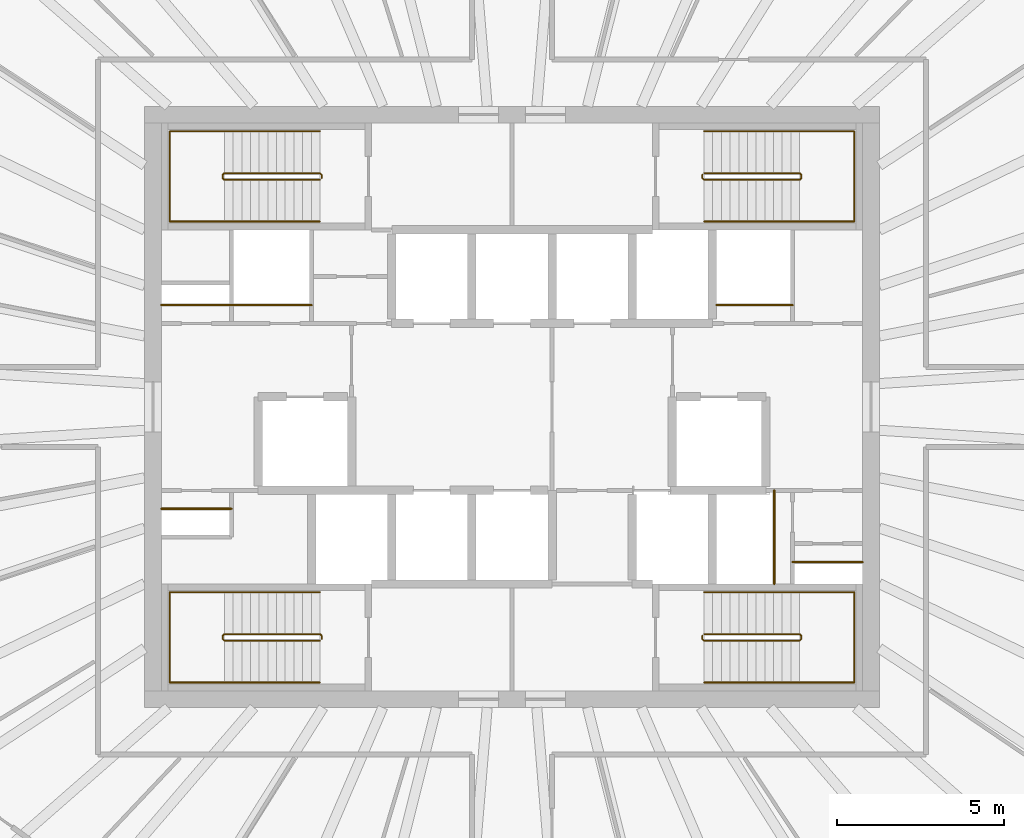
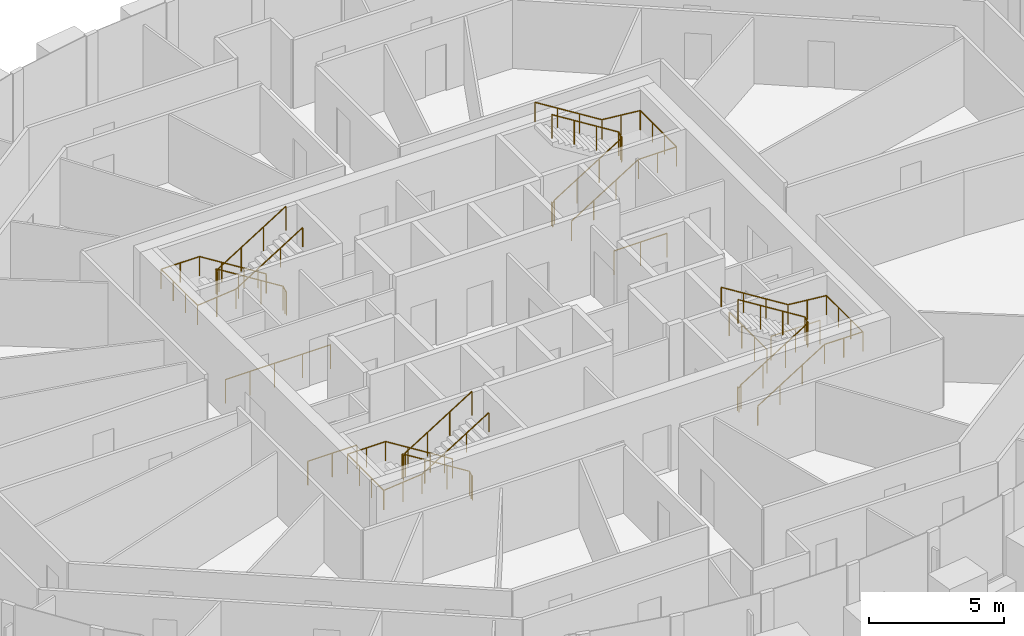
# One storey, part 12 of 12: 14 railings.
"""IFC4 building model written with IfcOpenShell, lengths in metres."""

import ifcopenshell
import ifcopenshell.guid

model = None  # the IFC model being written
_history = None  # IfcOwnerHistory: only IFC2X3 demands one
_inside = {}  # id of a spatial element -> (the spatial element, [elements in it])
_under = {}  # id of a project, library or spatial element -> (it, [spatial elements below it])
_declared = {}  # id of a project -> (the project, [libraries it declares])
_typed = {}  # id of a type object -> (the type object, [elements of that type])
_made_of = {}  # id of a material, layer set ... -> (it, [elements and type objects made of it])


def new_model(schema):
    """Start an empty IFC model of exactly this schema.

    Asked for "IFC4X3", IfcOpenShell would pick the latest addendum, in which some entities
    have other attributes; the version numbers below select the first issue.
    IFC2X3 requires an IfcOwnerHistory on every rooted entity: one is made here for all.
    """
    global model, _history
    if schema == "IFC4X3":
        model = ifcopenshell.file(schema_version=(4, 3, 0, 0))
    else:
        model = ifcopenshell.file(schema=schema)
    _inside.clear()
    _under.clear()
    _declared.clear()
    _typed.clear()
    _made_of.clear()
    _history = None
    if model.schema == "IFC2X3":
        org = make("IfcOrganization", Name="unknown")
        user = make(
            "IfcPersonAndOrganization",
            ThePerson=make("IfcPerson", FamilyName="unknown"),
            TheOrganization=org,
        )
        app = make(
            "IfcApplication",
            ApplicationDeveloper=org,
            Version="unknown",
            ApplicationFullName="unknown",
            ApplicationIdentifier="unknown",
        )
        _history = make(
            "IfcOwnerHistory",
            OwningUser=user,
            OwningApplication=app,
            ChangeAction="ADDED",
            CreationDate=0,
        )
    return model


def make(cls, **values):
    """One entity of the class cls with the attributes given. An attribute that is None is left unset."""
    return model.create_entity(
        cls, **{name: value for name, value in values.items() if value is not None}
    )


def rooted(cls, **values):
    """An entity with a GlobalId (a new one), such as an element, a storey or a relation."""
    return make(cls, GlobalId=ifcopenshell.guid.new(), OwnerHistory=_history, **values)


def si_unit(unit_type, name, prefix=None):
    """IfcSIUnit, for example si_unit("LENGTHUNIT", "METRE", prefix="MILLI")."""
    return make("IfcSIUnit", UnitType=unit_type, Prefix=prefix, Name=name)


def assignment(units):
    """IfcUnitAssignment: the units of a project."""
    return None if units is None else make("IfcUnitAssignment", Units=units)


def point(xyz):
    """IfcCartesianPoint."""
    return None if xyz is None else make("IfcCartesianPoint", Coordinates=xyz)


def direction(xyz):
    """IfcDirection."""
    return None if xyz is None else make("IfcDirection", DirectionRatios=xyz)


def frame(location, z_axis=None, x_axis=None):
    """IfcAxis2Placement3D, a coordinate frame: its origin and axes. An axis left out is left unset."""
    return make(
        "IfcAxis2Placement3D",
        Location=point(location),
        Axis=direction(z_axis),
        RefDirection=direction(x_axis),
    )


def frame_2d(location, x_axis=None):
    """IfcAxis2Placement2D, a coordinate frame in the plane: its origin and x axis."""
    return make(
        "IfcAxis2Placement2D", Location=point(location), RefDirection=direction(x_axis)
    )


def origin():
    """The frame at (0, 0, 0) with its axes left unset."""
    return frame((0.0, 0.0, 0.0))


def origin_2d():
    """The frame at (0, 0) in the plane with its x axis left unset."""
    return frame_2d((0.0, 0.0))


def place(relative_to, where):
    """IfcLocalPlacement: puts the frame where relative to a parent placement (None: the world)."""
    return make(
        "IfcLocalPlacement", PlacementRelTo=relative_to, RelativePlacement=where
    )


def context(
    kind, dimensions, precision=None, world=None, true_north=None, identifier=None
):
    """IfcGeometricRepresentationContext, for example the 3D "Model" context."""
    return make(
        "IfcGeometricRepresentationContext",
        ContextIdentifier=identifier,
        ContextType=kind,
        CoordinateSpaceDimension=dimensions,
        Precision=precision,
        WorldCoordinateSystem=world,
        TrueNorth=true_north,
    )


def subcontext(parent, identifier, kind, view, scale=None):
    """IfcGeometricRepresentationSubContext, for example "Body" below "Model"."""
    return make(
        "IfcGeometricRepresentationSubContext",
        ContextIdentifier=identifier,
        ContextType=kind,
        ParentContext=parent,
        TargetScale=scale,
        TargetView=view,
    )


def project(units=None, contexts=None):
    """IfcProject with its units and contexts."""
    return rooted(
        "IfcProject",
        Name="project",
        RepresentationContexts=contexts,
        UnitsInContext=assignment(units),
    )


def spatial(cls, under=None, at=None, **own):
    """A site, building, storey or space (cls), placed at a placement, below another one or the project."""
    s = rooted(cls, ObjectPlacement=at, **own)
    if under is not None:
        _under.setdefault(under.id(), (under, []))[1].append(s)
    return s


def profile(cls, at=None, kind="AREA", **sizes):
    """A parametric profile (cls). Its sizes go by their IFC names, for example OverallWidth=200.0."""
    return make(cls, ProfileType=kind, Position=at, **sizes)


def circle(**sizes):
    """IfcCircleProfileDef."""
    return profile("IfcCircleProfileDef", **sizes)


def extrude(swept, where, along, depth):
    """IfcExtrudedAreaSolid: the profile swept, set in the frame where, extruded along a direction by depth."""
    return make(
        "IfcExtrudedAreaSolid",
        SweptArea=swept,
        Position=where,
        ExtrudedDirection=direction(along),
        Depth=depth,
    )


def shape(context_of_items, identifier, shape_type, items):
    """IfcShapeRepresentation: the items that make up one representation, for example the "Body"."""
    return make(
        "IfcShapeRepresentation",
        ContextOfItems=context_of_items,
        RepresentationIdentifier=identifier,
        RepresentationType=shape_type,
        Items=items,
    )


def source(mapping_origin, context_of_items, identifier, shape_type, items):
    """IfcRepresentationMap: a shape defined once, which mapped items show again and again."""
    return make(
        "IfcRepresentationMap",
        MappingOrigin=mapping_origin,
        MappedRepresentation=shape(context_of_items, identifier, shape_type, items),
    )


def transform(
    local_origin,
    x_axis=None,
    y_axis=None,
    z_axis=None,
    scale=None,
    scale2=None,
    scale3=None,
    uniform=True,
):
    """IfcCartesianTransformationOperator3D, or its non-uniform kind. x_axis, y_axis, z_axis: its Axis1, 2, 3."""
    if uniform:
        return make(
            "IfcCartesianTransformationOperator3D",
            Axis1=direction(x_axis),
            Axis2=direction(y_axis),
            LocalOrigin=point(local_origin),
            Scale=scale,
            Axis3=direction(z_axis),
        )
    return make(
        "IfcCartesianTransformationOperator3DnonUniform",
        Axis1=direction(x_axis),
        Axis2=direction(y_axis),
        LocalOrigin=point(local_origin),
        Scale=scale,
        Axis3=direction(z_axis),
        Scale2=scale2,
        Scale3=scale3,
    )


def mapped(mapping_source, mapping_target):
    """IfcMappedItem: shows the shape of a source again, moved by a transform."""
    return make(
        "IfcMappedItem", MappingSource=mapping_source, MappingTarget=mapping_target
    )


def material(Name=None, Category=None):
    """IfcMaterial."""
    return make("IfcMaterial", Name=Name, Category=Category)


def made_of(thing, what):
    """Note that an element or type object is made of a material, layer set ...; save() writes the relation."""
    if what is not None:
        _made_of.setdefault(what.id(), (what, []))[1].append(thing)
    return thing


def type_object(cls, material=None, **own):
    """A type object (cls), such as IfcWallType, which elements share."""
    return made_of(rooted(cls, **own), material)


def element(
    cls,
    number,
    at=None,
    inside=None,
    cuts=None,
    type_object=None,
    material=None,
    context=None,
    identifier="Body",
    shape_type=None,
    held_by="IfcProductDefinitionShape",
    body=None,
    shapes=None,
    **own,
):
    """One element of the class cls, such as IfcWall. Its Tag is "e" and its number.

    at: its placement. inside: the storey or other place that contains it. cuts: it is an
    opening in that element (IfcRelVoidsElement). A single representation is given by context,
    identifier, shape_type and body (its items); several are given by shapes. held_by: the class
    of the entity that holds the representations. save() writes the other relations.
    """
    e = rooted(cls, Tag="e%d" % number, ObjectPlacement=at, **own)
    if body is not None:
        shapes = [shape(context, identifier, shape_type, body)]
    if shapes is not None:
        e.Representation = make(held_by, Representations=shapes)
    if inside is not None:
        _inside.setdefault(inside.id(), (inside, []))[1].append(e)
    if cuts is not None:
        rooted(
            "IfcRelVoidsElement", RelatingBuildingElement=cuts, RelatedOpeningElement=e
        )
    if type_object is not None:
        _typed.setdefault(type_object.id(), (type_object, []))[1].append(e)
    return made_of(e, material)


def aggregate(whole, parts):
    """IfcRelAggregates: a whole, such as a stair, and the parts it consists of."""
    return rooted("IfcRelAggregates", RelatingObject=whole, RelatedObjects=parts)


def save(model, path):
    """Write the relations noted so far, then the file.

    IfcRelAggregates (storeys below a building ...), IfcRelContainedInSpatialStructure (elements
    in a storey), IfcRelDefinesByType, IfcRelAssociatesMaterial and IfcRelDeclares: one each for
    every whole, place, type object, material and project.
    """
    for whole, parts in _under.values():
        aggregate(whole, parts)
    for where, things in _inside.values():
        rooted(
            "IfcRelContainedInSpatialStructure",
            RelatedElements=things,
            RelatingStructure=where,
        )
    for kind, things in _typed.values():
        rooted("IfcRelDefinesByType", RelatedObjects=things, RelatingType=kind)
    for what, things in _made_of.values():
        rooted("IfcRelAssociatesMaterial", RelatedObjects=things, RelatingMaterial=what)
    for by, libraries in _declared.values():
        rooted("IfcRelDeclares", RelatingContext=by, RelatedDefinitions=libraries)
    model.write(path)


model = new_model("IFC4")

# Units and contexts
model_context = context("Model", 3, precision=1e-05, world=origin(), true_north=direction((0.0, 1.0)))
body_context = subcontext(model_context, "Body", "Model", "MODEL_VIEW")
ifc_project = project(units=[si_unit("LENGTHUNIT", "METRE"), si_unit("AREAUNIT", "SQUARE_METRE"), si_unit("VOLUMEUNIT", "CUBIC_METRE"), si_unit("PLANEANGLEUNIT", "RADIAN"), si_unit("MASSUNIT", "GRAM", prefix="KILO")], contexts=[model_context])

# Site, building, storey
site_placement = place(None, origin())
site = spatial("IfcSite", under=ifc_project, at=site_placement, CompositionType="ELEMENT")
building_placement = place(site_placement, origin())
building = spatial("IfcBuilding", under=site, at=building_placement, Name="Embergate Tower", CompositionType="ELEMENT")
storey_placement = place(building_placement, frame((0.0, 0.0, 313.0)))
storey = spatial("IfcBuildingStorey", under=building, at=storey_placement, Name="L73", CompositionType="ELEMENT", Elevation=313.0)

# Railings
ifc_material_1 = material(Name="Stair guard 1100")
railing_type_1 = type_object("IfcRailingType", Name="Stair guard 1100", PredefinedType="GUARDRAIL", material=ifc_material_1)
shared_shape_1 = source(origin(), body_context, "Body", "SweptSolid", [
    extrude(circle(Radius=0.02392578125, at=origin_2d()), frame((0.0, 0.0, 1.076171875), z_axis=(0.0, 1.0, 0.0), x_axis=(-1.0, 0.0, 0.0)), (0.0, 0.0, 1.0), 0.099853515625),
    extrude(circle(Radius=0.02392578125, at=origin_2d()), frame((0.0, 0.099853515625, 1.076171875), z_axis=(-0.282227285176, 0.282227285176, 0.916894497205), x_axis=(-0.707106781187, -0.707106781187, 0.0)), (0.0, 0.0, 1.0), 0.17724609375),
    extrude(circle(Radius=0.02392578125, at=origin_2d()), frame((-0.050048828125, 0.14990234375, 1.23876953125), z_axis=(-0.848026770018, 0.0, 0.529953391661), x_axis=(0.0, -1.0, 0.0)), (0.0, 0.0, 1.0), 3.37255859375),
    extrude(circle(Radius=0.02392578125, at=origin_2d()), frame((-2.91015625, 0.14990234375, 3.02587890625), z_axis=(-0.705375805398, -0.708833529934, 0.0), x_axis=(0.708833529934, -0.705375805398, 0.0)), (0.0, 0.0, 1.0), 0.070556640625),
    extrude(circle(Radius=0.02392578125, at=origin_2d()), frame((-2.9599609375, 0.099853515625, 3.02587890625), z_axis=(0.0, -1.0, 0.0), x_axis=(1.0, 0.0, 0.0)), (0.0, 0.0, 1.0), 0.099853515625),
    extrude(circle(Radius=0.02392578125, at=origin_2d()), frame((-2.9599609375, 0.0, 3.02587890625), z_axis=(0.280959487676, -0.282336740067, 0.917250092119), x_axis=(0.708833529934, 0.705375805398, 0.0)), (0.0, 0.0, 1.0), 0.17724609375),
    extrude(circle(Radius=0.02392578125, at=origin_2d()), frame((-2.91015625, -0.050048828125, 3.1884765625), z_axis=(0.848026770018, 0.0, 0.529953391661), x_axis=(0.0, 1.0, 0.0)), (0.0, 0.0, 1.0), 3.37255859375),
    extrude(circle(Radius=0.02099609375, at=origin_2d()), origin(), (0.0, 0.0, 1.0), 1.052001953125),
    extrude(circle(Radius=0.02099609375, at=origin_2d()), frame((0.0, 0.099853515625, 0.0)), (0.0, 0.0, 1.0), 1.052001953125),
    extrude(circle(Radius=0.02099609375, at=origin_2d()), frame((-0.050048828125, 0.14990234375, 0.16259765625)), (0.0, 0.0, 1.0), 1.052001953125),
    extrude(circle(Radius=0.02099609375, at=origin_2d()), frame((-1.00341796875, 0.14990234375, 0.75830078125)), (0.0, 0.0, 1.0), 1.052001953125),
    extrude(circle(Radius=0.02099609375, at=origin_2d()), frame((-1.956787109375, 0.14990234375, 1.354248046875)), (0.0, 0.0, 1.0), 1.052001953125),
    extrude(circle(Radius=0.02099609375, at=origin_2d()), frame((-2.91015625, 0.14990234375, 1.949951171875)), (0.0, 0.0, 1.0), 1.052001953125),
    extrude(circle(Radius=0.02099609375, at=origin_2d()), frame((-2.9599609375, 0.099853515625, 1.949951171875)), (0.0, 0.0, 1.0), 1.052001953125),
    extrude(circle(Radius=0.02099609375, at=origin_2d()), frame((-2.9599609375, 0.0, 1.949951171875)), (0.0, 0.0, 1.0), 1.052001953125),
    extrude(circle(Radius=0.02099609375, at=origin_2d()), frame((-2.91015625, -0.050048828125, 2.112548828125)), (0.0, 0.0, 1.0), 1.052001953125),
    extrude(circle(Radius=0.02099609375, at=origin_2d()), frame((-1.956787109375, -0.050048828125, 2.708251953125)), (0.0, 0.0, 1.0), 1.052001953125),
    extrude(circle(Radius=0.02099609375, at=origin_2d()), frame((-1.00341796875, -0.050048828125, 3.30419921875)), (0.0, 0.0, 1.0), 1.052001953125),
    extrude(circle(Radius=0.02099609375, at=origin_2d()), frame((-0.050048828125, -0.050048828125, 3.89990234375)), (0.0, 0.0, 1.0), 1.052001953125),
])
for number, where, name in (
    (1, (-5.699951171875, 6.85009765625, 0.0), "L73 ST1 stair guard 1"),
    (2, (-5.699951171875, -6.949951171875, 0.0), "L73 ST3 stair guard 1"),
):
    element("IfcRailing", number, at=place(storey_placement, frame(where)), inside=storey, type_object=railing_type_1, Name=name, PredefinedType="GUARDRAIL", context=body_context, shape_type="MappedRepresentation", body=[
        mapped(shared_shape_1, transform((0.0, 0.0, 0.0))),
    ])
ifc_material_2 = material(Name="Stair handrail 900")
railing_type_2 = type_object("IfcRailingType", Name="Stair handrail 900", PredefinedType="HANDRAIL", material=ifc_material_2)
shared_shape_2 = source(origin(), body_context, "Body", "SweptSolid", [
    extrude(circle(Radius=0.02392578125, at=origin_2d()), frame((0.0, 0.0, 0.8759765625), z_axis=(-0.848026770018, 0.0, 0.529953391661), x_axis=(0.0, -1.0, 0.0)), (0.0, 0.0, 1.0), 3.37255859375),
    extrude(circle(Radius=0.02392578125, at=origin_2d()), frame((-2.860107421875, 0.0, 2.6630859375), z_axis=(-1.0, 0.0, 0.0), x_axis=(0.0, -1.0, 0.0)), (0.0, 0.0, 1.0), 1.639892578125),
    extrude(circle(Radius=0.02392578125, at=origin_2d()), frame((-4.5, 0.0, 2.6630859375), z_axis=(0.0, -1.0, 0.0), x_axis=(1.0, 0.0, 0.0)), (0.0, 0.0, 1.0), 2.699951171875),
    extrude(circle(Radius=0.02392578125, at=origin_2d()), frame((-4.5, -2.699951171875, 2.6630859375), z_axis=(0.995120448088, 0.0, 0.098667592441), x_axis=(0.0, 1.0, 0.0)), (0.0, 0.0, 1.0), 1.64794921875),
    extrude(circle(Radius=0.02392578125, at=origin_2d()), frame((-2.860107421875, -2.699951171875, 2.82568359375), z_axis=(0.848026770018, 0.0, 0.529953391661), x_axis=(0.0, 1.0, 0.0)), (0.0, 0.0, 1.0), 3.37255859375),
    extrude(circle(Radius=0.02099609375, at=origin_2d()), origin(), (0.0, 0.0, 1.0), 0.851806640625),
    extrude(circle(Radius=0.02099609375, at=origin_2d()), frame((-0.953369140625, 0.0, 0.595703125)), (0.0, 0.0, 1.0), 0.851806640625),
    extrude(circle(Radius=0.02099609375, at=origin_2d()), frame((-1.90673828125, 0.0, 1.191650390625)), (0.0, 0.0, 1.0), 0.851806640625),
    extrude(circle(Radius=0.02099609375, at=origin_2d()), frame((-2.860107421875, 0.0, 1.787353515625)), (0.0, 0.0, 1.0), 0.851806640625),
    extrude(circle(Radius=0.02099609375, at=origin_2d()), frame((-3.68017578125, 0.0, 1.787353515625)), (0.0, 0.0, 1.0), 0.851806640625),
    extrude(circle(Radius=0.02099609375, at=origin_2d()), frame((-4.5, 0.0, 1.787353515625)), (0.0, 0.0, 1.0), 0.851806640625),
    extrude(circle(Radius=0.02099609375, at=origin_2d()), frame((-4.5, -0.89990234375, 1.787353515625)), (0.0, 0.0, 1.0), 0.851806640625),
    extrude(circle(Radius=0.02099609375, at=origin_2d()), frame((-4.5, -1.800048828125, 1.787353515625)), (0.0, 0.0, 1.0), 0.851806640625),
    extrude(circle(Radius=0.02099609375, at=origin_2d()), frame((-4.5, -2.699951171875, 1.787353515625)), (0.0, 0.0, 1.0), 0.851806640625),
    extrude(circle(Radius=0.02099609375, at=origin_2d()), frame((-3.68017578125, -2.699951171875, 1.86865234375)), (0.0, 0.0, 1.0), 0.851806640625),
    extrude(circle(Radius=0.02099609375, at=origin_2d()), frame((-2.860107421875, -2.699951171875, 1.949951171875)), (0.0, 0.0, 1.0), 0.851806640625),
    extrude(circle(Radius=0.02099609375, at=origin_2d()), frame((-1.90673828125, -2.699951171875, 2.545654296875)), (0.0, 0.0, 1.0), 0.851806640625),
    extrude(circle(Radius=0.02099609375, at=origin_2d()), frame((-0.953369140625, -2.699951171875, 3.1416015625)), (0.0, 0.0, 1.0), 0.851806640625),
    extrude(circle(Radius=0.02099609375, at=origin_2d()), frame((0.0, -2.699951171875, 3.7373046875)), (0.0, 0.0, 1.0), 0.851806640625),
])
for number, where, name in (
    (3, (-5.75, 8.25, 0.16259765625), "L73 ST1 stair handrail 1"),
    (4, (-5.75, -5.550048828125, 0.16259765625), "L73 ST3 stair handrail 1"),
):
    element("IfcRailing", number, at=place(storey_placement, frame(where)), inside=storey, type_object=railing_type_2, Name=name, PredefinedType="HANDRAIL", context=body_context, shape_type="MappedRepresentation", body=[
        mapped(shared_shape_2, transform((0.0, 0.0, 0.0))),
    ])
shared_shape_3 = source(origin(), body_context, "Body", "SweptSolid", [
    extrude(circle(Radius=0.02392578125, at=origin_2d()), frame((0.0, 0.0, 1.076171875), z_axis=(0.0, -1.0, 0.0), x_axis=(1.0, 0.0, 0.0)), (0.0, 0.0, 1.0), 0.099853515625),
    extrude(circle(Radius=0.02392578125, at=origin_2d()), frame((0.0, -0.099853515625, 1.076171875), z_axis=(0.282227285176, -0.282227285176, 0.916894497205), x_axis=(0.707106781187, 0.707106781187, 0.0)), (0.0, 0.0, 1.0), 0.17724609375),
    extrude(circle(Radius=0.02392578125, at=origin_2d()), frame((0.050048828125, -0.14990234375, 1.23876953125), z_axis=(0.848026770018, 0.0, 0.529953391661), x_axis=(0.0, 1.0, 0.0)), (0.0, 0.0, 1.0), 3.37255859375),
    extrude(circle(Radius=0.02392578125, at=origin_2d()), frame((2.91015625, -0.14990234375, 3.02587890625), z_axis=(0.705375805398, 0.708833529934, 0.0), x_axis=(-0.708833529934, 0.705375805398, 0.0)), (0.0, 0.0, 1.0), 0.070556640625),
    extrude(circle(Radius=0.02392578125, at=origin_2d()), frame((2.9599609375, -0.099853515625, 3.02587890625), z_axis=(0.0, 1.0, 0.0), x_axis=(-1.0, 0.0, 0.0)), (0.0, 0.0, 1.0), 0.099853515625),
    extrude(circle(Radius=0.02392578125, at=origin_2d()), frame((2.9599609375, 0.0, 3.02587890625), z_axis=(-0.280959487676, 0.282336740067, 0.917250092119), x_axis=(-0.708833529934, -0.705375805398, 0.0)), (0.0, 0.0, 1.0), 0.17724609375),
    extrude(circle(Radius=0.02392578125, at=origin_2d()), frame((2.91015625, 0.050048828125, 3.1884765625), z_axis=(-0.848026770018, 0.0, 0.529953391661), x_axis=(0.0, -1.0, 0.0)), (0.0, 0.0, 1.0), 3.37255859375),
    extrude(circle(Radius=0.02099609375, at=origin_2d()), origin(), (0.0, 0.0, 1.0), 1.052001953125),
    extrude(circle(Radius=0.02099609375, at=origin_2d()), frame((0.0, -0.099853515625, 0.0)), (0.0, 0.0, 1.0), 1.052001953125),
    extrude(circle(Radius=0.02099609375, at=origin_2d()), frame((0.050048828125, -0.14990234375, 0.16259765625)), (0.0, 0.0, 1.0), 1.052001953125),
    extrude(circle(Radius=0.02099609375, at=origin_2d()), frame((1.00341796875, -0.14990234375, 0.75830078125)), (0.0, 0.0, 1.0), 1.052001953125),
    extrude(circle(Radius=0.02099609375, at=origin_2d()), frame((1.956787109375, -0.14990234375, 1.354248046875)), (0.0, 0.0, 1.0), 1.052001953125),
    extrude(circle(Radius=0.02099609375, at=origin_2d()), frame((2.91015625, -0.14990234375, 1.949951171875)), (0.0, 0.0, 1.0), 1.052001953125),
    extrude(circle(Radius=0.02099609375, at=origin_2d()), frame((2.9599609375, -0.099853515625, 1.949951171875)), (0.0, 0.0, 1.0), 1.052001953125),
    extrude(circle(Radius=0.02099609375, at=origin_2d()), frame((2.9599609375, 0.0, 1.949951171875)), (0.0, 0.0, 1.0), 1.052001953125),
    extrude(circle(Radius=0.02099609375, at=origin_2d()), frame((2.91015625, 0.050048828125, 2.112548828125)), (0.0, 0.0, 1.0), 1.052001953125),
    extrude(circle(Radius=0.02099609375, at=origin_2d()), frame((1.956787109375, 0.050048828125, 2.708251953125)), (0.0, 0.0, 1.0), 1.052001953125),
    extrude(circle(Radius=0.02099609375, at=origin_2d()), frame((1.00341796875, 0.050048828125, 3.30419921875)), (0.0, 0.0, 1.0), 1.052001953125),
    extrude(circle(Radius=0.02099609375, at=origin_2d()), frame((0.050048828125, 0.050048828125, 3.89990234375)), (0.0, 0.0, 1.0), 1.052001953125),
])
for number, where, name in (
    (5, (5.699951171875, 6.949951171875, 0.0), "L73 ST2 stair guard 1"),
    (6, (5.699951171875, -6.85009765625, 0.0), "L73 ST4 stair guard 1"),
):
    element("IfcRailing", number, at=place(storey_placement, frame(where)), inside=storey, type_object=railing_type_1, Name=name, PredefinedType="GUARDRAIL", context=body_context, shape_type="MappedRepresentation", body=[
        mapped(shared_shape_3, transform((0.0, 0.0, 0.0))),
    ])
shared_shape_4 = source(origin(), body_context, "Body", "SweptSolid", [
    extrude(circle(Radius=0.02392578125, at=origin_2d()), frame((0.0, 0.0, 0.8759765625), z_axis=(0.848026770018, 0.0, 0.529953391661), x_axis=(0.0, 1.0, 0.0)), (0.0, 0.0, 1.0), 3.37255859375),
    extrude(circle(Radius=0.02392578125, at=origin_2d()), frame((2.860107421875, 0.0, 2.6630859375), z_axis=(1.0, 0.0, 0.0), x_axis=(0.0, 1.0, 0.0)), (0.0, 0.0, 1.0), 1.639892578125),
    extrude(circle(Radius=0.02392578125, at=origin_2d()), frame((4.5, 0.0, 2.6630859375), z_axis=(0.0, 1.0, 0.0), x_axis=(-1.0, 0.0, 0.0)), (0.0, 0.0, 1.0), 2.699951171875),
    extrude(circle(Radius=0.02392578125, at=origin_2d()), frame((4.5, 2.699951171875, 2.6630859375), z_axis=(-0.995120448088, 0.0, 0.098667592441), x_axis=(0.0, -1.0, 0.0)), (0.0, 0.0, 1.0), 1.64794921875),
    extrude(circle(Radius=0.02392578125, at=origin_2d()), frame((2.860107421875, 2.699951171875, 2.82568359375), z_axis=(-0.848026770018, 0.0, 0.529953391661), x_axis=(0.0, -1.0, 0.0)), (0.0, 0.0, 1.0), 3.37255859375),
    extrude(circle(Radius=0.02099609375, at=origin_2d()), origin(), (0.0, 0.0, 1.0), 0.851806640625),
    extrude(circle(Radius=0.02099609375, at=origin_2d()), frame((0.953369140625, 0.0, 0.595703125)), (0.0, 0.0, 1.0), 0.851806640625),
    extrude(circle(Radius=0.02099609375, at=origin_2d()), frame((1.90673828125, 0.0, 1.191650390625)), (0.0, 0.0, 1.0), 0.851806640625),
    extrude(circle(Radius=0.02099609375, at=origin_2d()), frame((2.860107421875, 0.0, 1.787353515625)), (0.0, 0.0, 1.0), 0.851806640625),
    extrude(circle(Radius=0.02099609375, at=origin_2d()), frame((3.68017578125, 0.0, 1.787353515625)), (0.0, 0.0, 1.0), 0.851806640625),
    extrude(circle(Radius=0.02099609375, at=origin_2d()), frame((4.5, 0.0, 1.787353515625)), (0.0, 0.0, 1.0), 0.851806640625),
    extrude(circle(Radius=0.02099609375, at=origin_2d()), frame((4.5, 0.89990234375, 1.787353515625)), (0.0, 0.0, 1.0), 0.851806640625),
    extrude(circle(Radius=0.02099609375, at=origin_2d()), frame((4.5, 1.800048828125, 1.787353515625)), (0.0, 0.0, 1.0), 0.851806640625),
    extrude(circle(Radius=0.02099609375, at=origin_2d()), frame((4.5, 2.699951171875, 1.787353515625)), (0.0, 0.0, 1.0), 0.851806640625),
    extrude(circle(Radius=0.02099609375, at=origin_2d()), frame((3.68017578125, 2.699951171875, 1.86865234375)), (0.0, 0.0, 1.0), 0.851806640625),
    extrude(circle(Radius=0.02099609375, at=origin_2d()), frame((2.860107421875, 2.699951171875, 1.949951171875)), (0.0, 0.0, 1.0), 0.851806640625),
    extrude(circle(Radius=0.02099609375, at=origin_2d()), frame((1.90673828125, 2.699951171875, 2.545654296875)), (0.0, 0.0, 1.0), 0.851806640625),
    extrude(circle(Radius=0.02099609375, at=origin_2d()), frame((0.953369140625, 2.699951171875, 3.1416015625)), (0.0, 0.0, 1.0), 0.851806640625),
    extrude(circle(Radius=0.02099609375, at=origin_2d()), frame((0.0, 2.699951171875, 3.7373046875)), (0.0, 0.0, 1.0), 0.851806640625),
])
for number, where, name in (
    (7, (5.75, 5.550048828125, 0.16259765625), "L73 ST2 stair handrail 1"),
    (8, (5.75, -8.25, 0.16259765625), "L73 ST4 stair handrail 1"),
):
    element("IfcRailing", number, at=place(storey_placement, frame(where)), inside=storey, type_object=railing_type_2, Name=name, PredefinedType="HANDRAIL", context=body_context, shape_type="MappedRepresentation", body=[
        mapped(shared_shape_4, transform((0.0, 0.0, 0.0))),
    ])
ifc_material_3 = material(Name="Opening guard 1100")
railing_type_3 = type_object("IfcRailingType", Name="Opening guard 1100", PredefinedType="GUARDRAIL", material=ifc_material_3)
shared_shape_5 = source(origin(), body_context, "Body", "SweptSolid", [
    extrude(circle(Radius=0.02392578125, at=origin_2d()), frame((0.0, 0.0, 1.076171875), z_axis=(1.0, 0.0, 0.0), x_axis=(0.0, 1.0, 0.0)), (0.0, 0.0, 1.0), 2.27490234375),
    extrude(circle(Radius=0.02099609375, at=origin_2d()), origin(), (0.0, 0.0, 1.0), 1.052001953125),
    extrude(circle(Radius=0.02099609375, at=origin_2d()), frame((1.137451171875, 0.0, 0.0)), (0.0, 0.0, 1.0), 1.052001953125),
    extrude(circle(Radius=0.02099609375, at=origin_2d()), frame((2.27490234375, 0.0, 0.0)), (0.0, 0.0, 1.0), 1.052001953125),
])
railing_1_placement = place(storey_placement, frame((6.125, 3.050048828125, 0.0)))
element("IfcRailing", 9, at=railing_1_placement, inside=storey, type_object=railing_type_3, Name="Riser opening guard", PredefinedType="GUARDRAIL", context=body_context, shape_type="MappedRepresentation", body=[
    mapped(shared_shape_5, transform((0.0, 0.0, 0.0))),
])
shared_shape_6 = source(origin(), body_context, "Body", "SweptSolid", [
    extrude(circle(Radius=0.02392578125, at=origin_2d()), frame((0.0, 0.0, 1.076171875), z_axis=(0.0, 1.0, 0.0), x_axis=(-1.0, 0.0, 0.0)), (0.0, 0.0, 1.0), 2.800048828125),
    extrude(circle(Radius=0.02099609375, at=origin_2d()), origin(), (0.0, 0.0, 1.0), 1.052001953125),
    extrude(circle(Radius=0.02099609375, at=origin_2d()), frame((0.0, 0.933349609375, 0.0)), (0.0, 0.0, 1.0), 1.052001953125),
    extrude(circle(Radius=0.02099609375, at=origin_2d()), frame((0.0, 1.86669921875, 0.0)), (0.0, 0.0, 1.0), 1.052001953125),
    extrude(circle(Radius=0.02099609375, at=origin_2d()), frame((0.0, 2.800048828125, 0.0)), (0.0, 0.0, 1.0), 1.052001953125),
])
railing_2_placement = place(storey_placement, frame((7.85009765625, -5.300048828125, 0.0)))
element("IfcRailing", 10, at=railing_2_placement, inside=storey, type_object=railing_type_3, Name="Riser opening guard", PredefinedType="GUARDRAIL", context=body_context, shape_type="MappedRepresentation", body=[
    mapped(shared_shape_6, transform((0.0, 0.0, 0.0))),
])
shared_shape_7 = source(origin(), body_context, "Body", "SweptSolid", [
    extrude(circle(Radius=0.02392578125, at=origin_2d()), frame((0.0, 0.0, 1.076171875), z_axis=(1.0, 0.0, 0.0), x_axis=(0.0, 1.0, 0.0)), (0.0, 0.0, 1.0), 2.39990234375),
    extrude(circle(Radius=0.02099609375, at=origin_2d()), origin(), (0.0, 0.0, 1.0), 1.052001953125),
    extrude(circle(Radius=0.02099609375, at=origin_2d()), frame((1.199951171875, 0.0, 0.0)), (0.0, 0.0, 1.0), 1.052001953125),
    extrude(circle(Radius=0.02099609375, at=origin_2d()), frame((2.39990234375, 0.0, 0.0)), (0.0, 0.0, 1.0), 1.052001953125),
])
railing_3_placement = place(storey_placement, frame((-8.39990234375, 3.050048828125, 0.0)))
element("IfcRailing", 11, at=railing_3_placement, inside=storey, type_object=railing_type_3, Name="Riser opening guard", PredefinedType="GUARDRAIL", context=body_context, shape_type="MappedRepresentation", body=[
    mapped(shared_shape_7, transform((0.0, 0.0, 0.0))),
])
shared_shape_8 = source(origin(), body_context, "Body", "SweptSolid", [
    extrude(circle(Radius=0.02392578125, at=origin_2d()), frame((0.0, 0.0, 1.076171875), z_axis=(1.0, 0.0, 0.0), x_axis=(0.0, 1.0, 0.0)), (0.0, 0.0, 1.0), 2.10009765625),
    extrude(circle(Radius=0.02099609375, at=origin_2d()), origin(), (0.0, 0.0, 1.0), 1.052001953125),
    extrude(circle(Radius=0.02099609375, at=origin_2d()), frame((1.050048828125, 0.0, 0.0)), (0.0, 0.0, 1.0), 1.052001953125),
    extrude(circle(Radius=0.02099609375, at=origin_2d()), frame((2.10009765625, 0.0, 0.0)), (0.0, 0.0, 1.0), 1.052001953125),
])
for number, where, name in (
    (12, (-10.5, 3.050048828125, 0.0), "Riser opening guard"),
    (13, (-10.5, -3.050048828125, 0.0), "Riser opening guard"),
    (14, (8.39990234375, -4.64599609375, 0.0), "Riser opening guard"),
):
    element("IfcRailing", number, at=place(storey_placement, frame(where)), inside=storey, type_object=railing_type_3, Name=name, PredefinedType="GUARDRAIL", context=body_context, shape_type="MappedRepresentation", body=[
        mapped(shared_shape_8, transform((0.0, 0.0, 0.0))),
    ])

save(model, "model.ifc")
